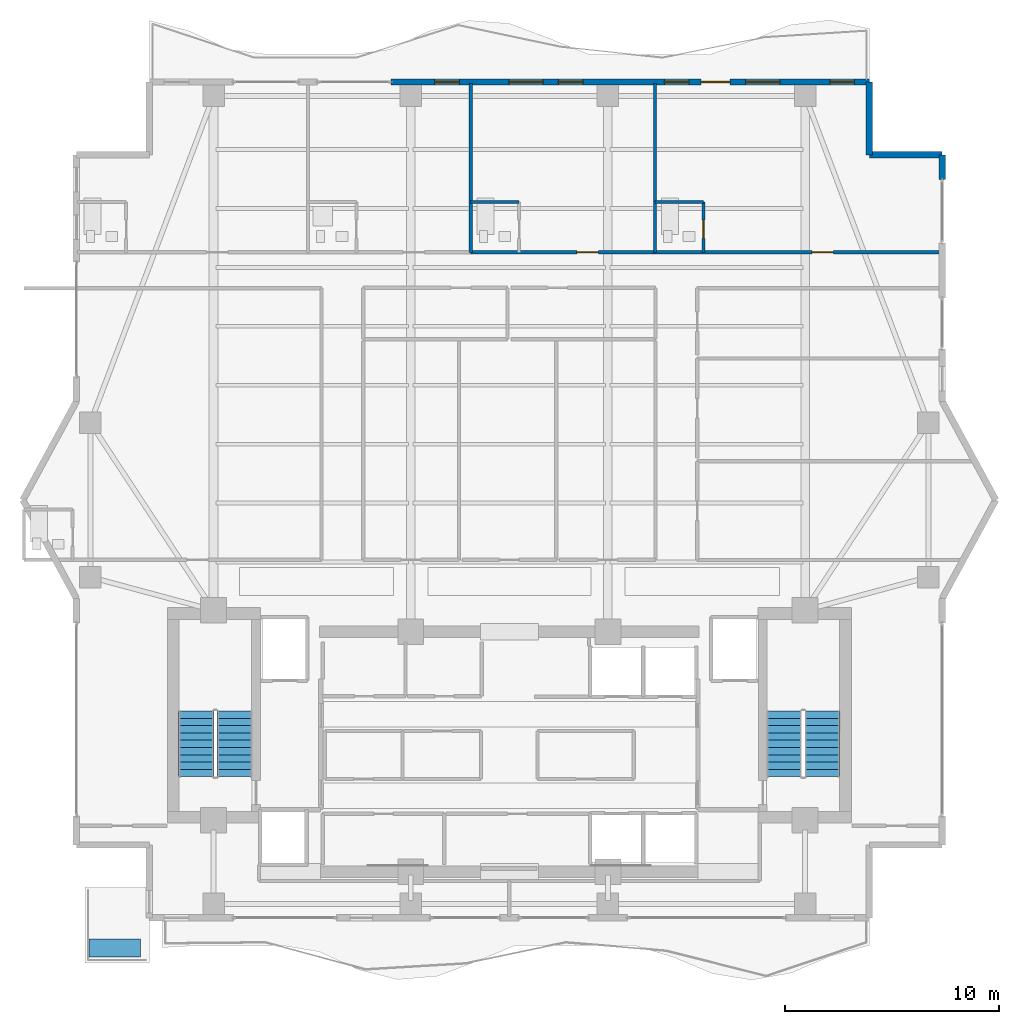
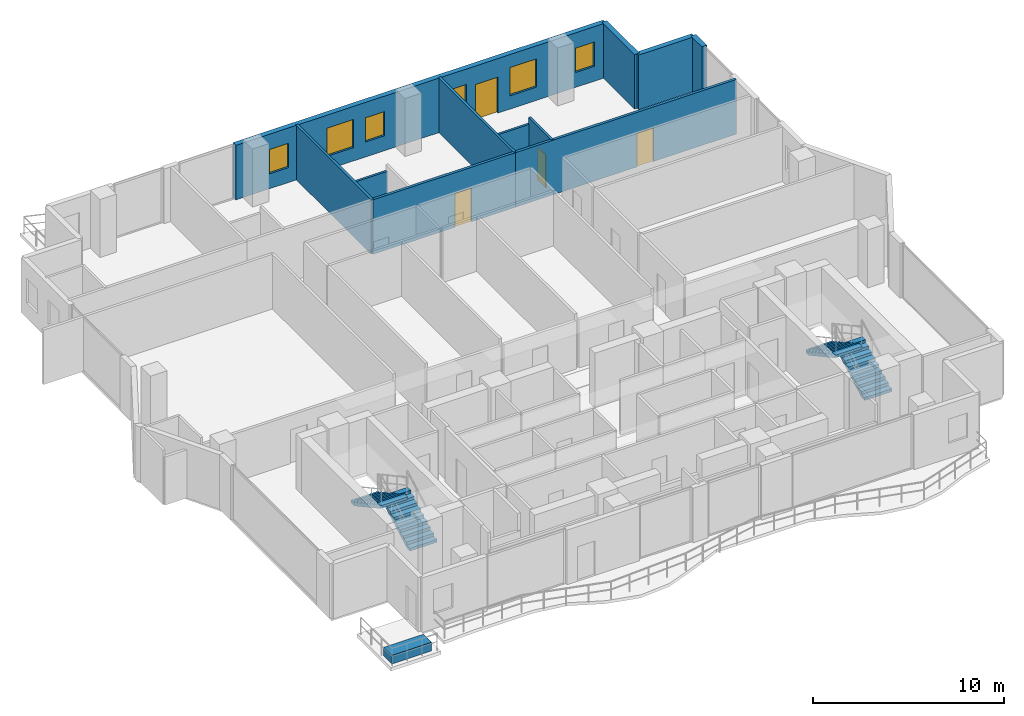
# One storey, part 21 of 24: 11 walls, 6 windows, 4 doors, 4 stair flights, 1 building element part, 10 openings, 2 elements without a shape of their own.
"""IFC4 building model written with IfcOpenShell, lengths in metres."""

from ifc_helpers import new_model, si_unit, direction, frame, frame_2d, origin, origin_2d, place, context, subcontext, project, spatial, polyline, rectangle, outline, extrude, material, layer, layer_set, type_object, element, fill, aggregate, save


model = new_model("IFC4")

# Units and contexts
model_context = context("Model", 3, precision=1e-05, world=origin(), true_north=direction((0.0, 1.0)))
body_context = subcontext(model_context, "Body", "Model", "MODEL_VIEW")
ifc_project = project(units=[si_unit("LENGTHUNIT", "METRE"), si_unit("AREAUNIT", "SQUARE_METRE"), si_unit("VOLUMEUNIT", "CUBIC_METRE"), si_unit("PLANEANGLEUNIT", "RADIAN"), si_unit("MASSUNIT", "GRAM", prefix="KILO")], contexts=[model_context])

# Site, building, storey
site_placement = place(None, origin())
site = spatial("IfcSite", under=ifc_project, at=site_placement, CompositionType="ELEMENT")
building_placement = place(site_placement, origin())
building = spatial("IfcBuilding", under=site, at=building_placement, Name="Zuhayl Quay Hotel", CompositionType="ELEMENT")
storey_placement = place(building_placement, frame((0.0, 0.0, 280.35009765625)))
storey = spatial("IfcBuildingStorey", under=building, at=storey_placement, Name="L71", CompositionType="ELEMENT", Elevation=280.35009765625)

# Wall, openings, door, windows
ifc_material_1 = material(Name="Precast concrete C45/55", Category="concrete")
ifc_layer_1 = layer(ifc_material_1, 0.300048828125, Name="Precast concrete C45/55", Category="concrete")
ifc_layer_set_1 = layer_set([ifc_layer_1], Name="Precast concrete C45/55")
wall_type_1 = type_object("IfcWallType", Name="WL_EXT_300", PredefinedType="STANDARD", material=ifc_layer_set_1)
wall_1_placement = place(storey_placement, frame((-5.52001953125, 39.0, 0.0), z_axis=(0.0, 0.0, 1.0), x_axis=(1.0, 0.0, 0.0)))
wall_1 = element("IfcWall", 1, at=wall_1_placement, inside=storey, type_object=wall_type_1, Name="L71 Exterior Precast Wall ENV_L71_N_EW3", PredefinedType="STANDARD", context=body_context, shape_type="SweptSolid", body=[
    extrude(rectangle(XDim=22.320068359375, YDim=0.300048828125, at=frame_2d((11.16015625, 0.0))), origin(), (0.0, 0.0, 1.0), 3.47998046875),
])
opening_1_placement = place(wall_1_placement, frame((14.465087890625, 0.0, 0.0)))
opening_1 = element("IfcOpeningElement", 2, at=opening_1_placement, cuts=wall_1, Name="Opening DG2", PredefinedType="OPENING", context=body_context, shape_type="SweptSolid", body=[
    extrude(rectangle(XDim=1.35009765625, YDim=2.300048828125, at=frame_2d((0.675048828125, 1.14990234375))), frame((0.0, 0.159912109375, 0.0), z_axis=(0.0, -1.0, 0.0), x_axis=(1.0, 0.0, 0.0)), (0.0, 0.0, 1.0), 0.320068359375),
])
opening_2_placement = place(wall_1_placement, frame((5.5, 0.0, 0.85009765625)))
opening_2 = element("IfcOpeningElement", 3, at=opening_2_placement, cuts=wall_1, Name="Opening W01", PredefinedType="OPENING", context=body_context, shape_type="SweptSolid", body=[
    extrude(rectangle(XDim=1.60009765625, YDim=1.800048828125, at=frame_2d((0.800048828125, 0.89990234375))), frame((0.0, 0.159912109375, 0.0), z_axis=(0.0, -1.0, 0.0), x_axis=(1.0, 0.0, 0.0)), (0.0, 0.0, 1.0), 0.320068359375),
])
opening_3_placement = place(wall_1_placement, frame((2.034912109375, 0.0, 0.949951171875)))
opening_3 = element("IfcOpeningElement", 4, at=opening_3_placement, cuts=wall_1, Name="Opening W01N", PredefinedType="OPENING", context=body_context, shape_type="SweptSolid", body=[
    extrude(rectangle(XDim=1.14990234375, YDim=1.550048828125, at=frame_2d((0.574951171875, 0.77490234375))), frame((0.0, 0.159912109375, 0.0), z_axis=(0.0, -1.0, 0.0), x_axis=(1.0, 0.0, 0.0)), (0.0, 0.0, 1.0), 0.320068359375),
])
opening_4_placement = place(wall_1_placement, frame((7.81005859375, 0.0, 0.949951171875)))
opening_4 = element("IfcOpeningElement", 5, at=opening_4_placement, cuts=wall_1, Name="Opening W01N", PredefinedType="OPENING", context=body_context, shape_type="SweptSolid", body=[
    extrude(rectangle(XDim=1.14990234375, YDim=1.550048828125, at=frame_2d((0.574951171875, 0.77490234375))), frame((0.0, 0.159912109375, 0.0), z_axis=(0.0, -1.0, 0.0), x_axis=(1.0, 0.0, 0.0)), (0.0, 0.0, 1.0), 0.320068359375),
])
opening_5_placement = place(wall_1_placement, frame((12.75244140625, 0.0, 0.949951171875)))
opening_5 = element("IfcOpeningElement", 6, at=opening_5_placement, cuts=wall_1, Name="Opening W01N", PredefinedType="OPENING", context=body_context, shape_type="SweptSolid", body=[
    extrude(rectangle(XDim=1.14990234375, YDim=1.550048828125, at=frame_2d((0.574951171875, 0.77490234375))), frame((0.0, 0.159912109375, 0.0), z_axis=(0.0, -1.0, 0.0), x_axis=(1.0, 0.0, 0.0)), (0.0, 0.0, 1.0), 0.320068359375),
])
opening_6_placement = place(wall_1_placement, frame((16.54248046875, 0.0, 0.85009765625)))
opening_6 = element("IfcOpeningElement", 7, at=opening_6_placement, cuts=wall_1, Name="Opening W01", PredefinedType="OPENING", context=body_context, shape_type="SweptSolid", body=[
    extrude(rectangle(XDim=1.60009765625, YDim=1.800048828125, at=frame_2d((0.800048828125, 0.89990234375))), frame((0.0, 0.159912109375, 0.0), z_axis=(0.0, -1.0, 0.0), x_axis=(1.0, 0.0, 0.0)), (0.0, 0.0, 1.0), 0.320068359375),
])
opening_7_placement = place(wall_1_placement, frame((20.47509765625, 0.0, 0.949951171875)))
opening_7 = element("IfcOpeningElement", 8, at=opening_7_placement, cuts=wall_1, Name="Opening W01N", PredefinedType="OPENING", context=body_context, shape_type="SweptSolid", body=[
    extrude(rectangle(XDim=1.14990234375, YDim=1.550048828125, at=frame_2d((0.574951171875, 0.77490234375))), frame((0.0, 0.159912109375, 0.0), z_axis=(0.0, -1.0, 0.0), x_axis=(1.0, 0.0, 0.0)), (0.0, 0.0, 1.0), 0.320068359375),
])
ifc_material_2 = material(Name="Anodised Aluminium and Dark Solar Glass", Category="aluminium")
door_type_1 = type_object("IfcDoorType", Name="DR_EXT_TERR_1350", OperationType="NOTDEFINED", PredefinedType="DOOR", material=ifc_material_2)
door_1_placement = place(opening_1_placement, origin())
door_1 = element("IfcDoor", 9, at=door_1_placement, inside=storey, type_object=door_type_1, Name="L71 North Rippling Balcony Door", OperationType="SINGLE_SWING_LEFT", OverallHeight=2.300048828125, OverallWidth=1.35009765625, PredefinedType="DOOR", context=body_context, shape_type="SweptSolid", body=[
    extrude(rectangle(XDim=1.35009765625, YDim=2.300048828125, at=frame_2d((0.675048828125, 1.14990234375))), frame((0.0, 0.02490234375, 0.0), z_axis=(0.0, -1.0, 0.0), x_axis=(1.0, 0.0, 0.0)), (0.0, 0.0, 1.0), 0.050048828125),
])
fill(opening_1, door_1)
ifc_material_3 = material(Name="Dark Ceramic-Fritted Solar Glass", Category="glass")
window_type_1 = type_object("IfcWindowType", Name="WN_NOTCH_1350", PartitioningType="SINGLE_PANEL", PredefinedType="WINDOW", material=ifc_material_3)
window_1_placement = place(opening_3_placement, origin())
window_1 = element("IfcWindow", 10, at=window_1_placement, inside=storey, type_object=window_type_1, Name="L71 Operable Facade Window 3-1", OverallHeight=1.550048828125, OverallWidth=1.14990234375, PartitioningType="SINGLE_PANEL", PredefinedType="WINDOW", context=body_context, shape_type="SweptSolid", body=[
    extrude(rectangle(XDim=1.14990234375, YDim=1.550048828125, at=frame_2d((0.574951171875, 0.77490234375))), frame((0.0, 0.030029296875, 0.0), z_axis=(0.0, -1.0, 0.0), x_axis=(1.0, 0.0, 0.0)), (0.0, 0.0, 1.0), 0.06005859375),
])
fill(opening_3, window_1)
window_2_placement = place(opening_4_placement, origin())
window_2 = element("IfcWindow", 11, at=window_2_placement, inside=storey, type_object=window_type_1, Name="L71 Operable Facade Window 3-2", OverallHeight=1.550048828125, OverallWidth=1.14990234375, PartitioningType="SINGLE_PANEL", PredefinedType="WINDOW", context=body_context, shape_type="SweptSolid", body=[
    extrude(rectangle(XDim=1.14990234375, YDim=1.550048828125, at=frame_2d((0.574951171875, 0.77490234375))), frame((0.0, 0.030029296875, 0.0), z_axis=(0.0, -1.0, 0.0), x_axis=(1.0, 0.0, 0.0)), (0.0, 0.0, 1.0), 0.06005859375),
])
fill(opening_4, window_2)
window_3_placement = place(opening_5_placement, origin())
window_3 = element("IfcWindow", 12, at=window_3_placement, inside=storey, type_object=window_type_1, Name="L71 Operable Facade Window 3-3", OverallHeight=1.550048828125, OverallWidth=1.14990234375, PartitioningType="SINGLE_PANEL", PredefinedType="WINDOW", context=body_context, shape_type="SweptSolid", body=[
    extrude(rectangle(XDim=1.14990234375, YDim=1.550048828125, at=frame_2d((0.574951171875, 0.77490234375))), frame((0.0, 0.030029296875, 0.0), z_axis=(0.0, -1.0, 0.0), x_axis=(1.0, 0.0, 0.0)), (0.0, 0.0, 1.0), 0.06005859375),
])
fill(opening_5, window_3)
window_4_placement = place(opening_7_placement, origin())
window_4 = element("IfcWindow", 13, at=window_4_placement, inside=storey, type_object=window_type_1, Name="L71 Operable Facade Window 3-5", OverallHeight=1.550048828125, OverallWidth=1.14990234375, PartitioningType="SINGLE_PANEL", PredefinedType="WINDOW", context=body_context, shape_type="SweptSolid", body=[
    extrude(rectangle(XDim=1.14990234375, YDim=1.550048828125, at=frame_2d((0.574951171875, 0.77490234375))), frame((0.0, 0.030029296875, 0.0), z_axis=(0.0, -1.0, 0.0), x_axis=(1.0, 0.0, 0.0)), (0.0, 0.0, 1.0), 0.06005859375),
])
fill(opening_7, window_4)
window_type_2 = type_object("IfcWindowType", Name="WN_OPERABLE_1600", PartitioningType="DOUBLE_PANEL_VERTICAL", PredefinedType="WINDOW", material=ifc_material_3)
window_5_placement = place(opening_2_placement, origin())
window_5 = element("IfcWindow", 14, at=window_5_placement, inside=storey, type_object=window_type_2, Name="L71 North Operable Casement Window", OverallHeight=1.800048828125, OverallWidth=1.60009765625, PartitioningType="SINGLE_PANEL", PredefinedType="WINDOW", context=body_context, shape_type="SweptSolid", body=[
    extrude(rectangle(XDim=1.60009765625, YDim=1.800048828125, at=frame_2d((0.800048828125, 0.89990234375))), frame((0.0, 0.030029296875, 0.0), z_axis=(0.0, -1.0, 0.0), x_axis=(1.0, 0.0, 0.0)), (0.0, 0.0, 1.0), 0.06005859375),
])
fill(opening_2, window_5)
window_6_placement = place(opening_6_placement, origin())
window_6 = element("IfcWindow", 15, at=window_6_placement, inside=storey, type_object=window_type_2, Name="L71 Operable Facade Window 3-4", OverallHeight=1.800048828125, OverallWidth=1.60009765625, PartitioningType="SINGLE_PANEL", PredefinedType="WINDOW", context=body_context, shape_type="SweptSolid", body=[
    extrude(rectangle(XDim=1.60009765625, YDim=1.800048828125, at=frame_2d((0.800048828125, 0.89990234375))), frame((0.0, 0.030029296875, 0.0), z_axis=(0.0, -1.0, 0.0), x_axis=(1.0, 0.0, 0.0)), (0.0, 0.0, 1.0), 0.06005859375),
])
fill(opening_6, window_6)

# Walls
for number, where, z_axis, x_axis, name in (
    (16, (16.800048828125, 39.0, 0.0), (0.0, 0.0, 1.0), (0.0, -1.0, 0.0), "L71 Exterior Precast Wall ENV_L71_EW09"),
    (17, (16.800048828125, 35.60009765625, 0.0), (0.0, 0.0, 1.0), (1.0, 0.0, 0.0), "L71 Exterior Precast Wall ENV_L71_EW10"),
):
    element("IfcWall", number, at=place(storey_placement, frame(where, z_axis=z_axis, x_axis=x_axis)), inside=storey, type_object=wall_type_1, Name=name, PredefinedType="STANDARD", context=body_context, shape_type="SweptSolid", body=[
        extrude(rectangle(XDim=3.39990234375, YDim=0.300048828125, at=frame_2d((1.699951171875, 0.0))), origin(), (0.0, 0.0, 1.0), 3.47998046875),
    ])
wall_2_placement = place(storey_placement, frame((20.199951171875, 35.60009765625, 0.0), z_axis=(0.0, 0.0, 1.0), x_axis=(0.0, -1.0, 0.0)))
element("IfcWall", 18, at=wall_2_placement, inside=storey, type_object=wall_type_1, Name="L71 Exterior Precast Wall ENV_L71_E11_EW1", PredefinedType="STANDARD", context=body_context, shape_type="SweptSolid", body=[
    extrude(rectangle(XDim=1.150146484375, YDim=0.300048828125, at=frame_2d((0.5751953125, 0.0))), origin(), (0.0, 0.0, 1.0), 3.47998046875),
])
ifc_material_4 = material(Name="Acoustic Gypsum Partition STC-58")
ifc_layer_2 = layer(ifc_material_4, 0.14990234375, Name="Acoustic Gypsum Partition STC-58")
ifc_layer_set_2 = layer_set([ifc_layer_2], Name="Acoustic Gypsum Partition STC-58")
wall_type_2 = type_object("IfcWallType", Name="WL_PART_150", PredefinedType="PARTITIONING", material=ifc_layer_set_2)
for number, where, z_axis, x_axis, name in (
    (19, (-1.800048828125, 31.050048828125, 0.0), (0.0, 0.0, 1.0), (0.0, 1.0, 0.0), "L71 Partition IW_L71_NU02_E"),
    (20, (6.800048828125, 31.050048828125, 0.0), (0.0, 0.0, 1.0), (0.0, 1.0, 0.0), "L71 Partition IW_L71_NU03_E"),
):
    element("IfcWall", number, at=place(storey_placement, frame(where, z_axis=z_axis, x_axis=x_axis)), inside=storey, type_object=wall_type_2, Name=name, PredefinedType="PARTITIONING", context=body_context, shape_type="SweptSolid", body=[
        extrude(rectangle(XDim=7.869873046875, YDim=0.14990234375, at=frame_2d((3.93505859375, 0.0))), origin(), (0.0, 0.0, 1.0), 3.47998046875),
    ])

# Wall, opening, door
ifc_layer_3 = layer(ifc_material_4, 0.159912109375, Name="Acoustic Gypsum Partition STC-58")
ifc_layer_set_3 = layer_set([ifc_layer_3], Name="Acoustic Gypsum Partition STC-58")
wall_type_3 = type_object("IfcWallType", Name="WL_PART_CORR_160", PredefinedType="PARTITIONING", material=ifc_layer_set_3)
wall_3_placement = place(storey_placement, frame((-1.800048828125, 31.050048828125, 0.0), z_axis=(0.0, 0.0, 1.0), x_axis=(1.0, 0.0, 0.0)))
wall_3 = element("IfcWall", 21, at=wall_3_placement, inside=storey, type_object=wall_type_3, Name="L71 Partition IW_L71_NU03_COR", PredefinedType="PARTITIONING", context=body_context, shape_type="SweptSolid", body=[
    extrude(rectangle(XDim=8.60009765625, YDim=0.159912109375, at=frame_2d((4.300048828125, 0.0))), origin(), (0.0, 0.0, 1.0), 3.47998046875),
])
opening_8_placement = place(wall_3_placement, frame((4.949951171875, 0.0, 0.0)))
opening_8 = element("IfcOpeningElement", 22, at=opening_8_placement, cuts=wall_3, Name="Opening D03L", PredefinedType="OPENING", context=body_context, shape_type="SweptSolid", body=[
    extrude(rectangle(XDim=1.0, YDim=2.14990234375, at=frame_2d((0.5, 1.074951171875))), frame((0.0, 0.08984375, 0.0), z_axis=(0.0, -1.0, 0.0), x_axis=(1.0, 0.0, 0.0)), (0.0, 0.0, 1.0), 0.179931640625),
])
ifc_material_5 = material(Name="Solid Walnut Acoustic Fire Door")
door_type_2 = type_object("IfcDoorType", Name="DR_SUITE_1000", OperationType="NOTDEFINED", PredefinedType="DOOR", material=ifc_material_5)
door_2_placement = place(opening_8_placement, origin())
door_2 = element("IfcDoor", 23, at=door_2_placement, inside=storey, type_object=door_type_2, Name="L71 Royal Gulf Suite L71-03 Entrance Door", OperationType="SINGLE_SWING_RIGHT", OverallHeight=2.14990234375, OverallWidth=1.0, PredefinedType="DOOR", context=body_context, shape_type="SweptSolid", body=[
    extrude(rectangle(XDim=1.0, YDim=2.14990234375, at=frame_2d((0.5, 1.074951171875))), frame((0.0, 0.02490234375, 0.0), z_axis=(0.0, -1.0, 0.0), x_axis=(1.0, 0.0, 0.0)), (0.0, 0.0, 1.0), 0.050048828125),
])
fill(opening_8, door_2)

wall_4_placement = place(storey_placement, frame((6.800048828125, 31.050048828125, 0.0), z_axis=(0.0, 0.0, 1.0), x_axis=(1.0, 0.0, 0.0)))
wall_4 = element("IfcWall", 24, at=wall_4_placement, inside=storey, type_object=wall_type_3, Name="L71 Partition IW_L71_NU04_COR", PredefinedType="PARTITIONING", context=body_context, shape_type="SweptSolid", body=[
    extrude(rectangle(XDim=13.33984375, YDim=0.159912109375, at=frame_2d((6.669921875, 0.0))), origin(), (0.0, 0.0, 1.0), 3.47998046875),
])
opening_9_placement = place(wall_4_placement, frame((7.320068359375, 0.0, 0.0)))
opening_9 = element("IfcOpeningElement", 25, at=opening_9_placement, cuts=wall_4, Name="Opening D03L", PredefinedType="OPENING", context=body_context, shape_type="SweptSolid", body=[
    extrude(rectangle(XDim=1.0, YDim=2.14990234375, at=frame_2d((0.5, 1.074951171875))), frame((0.0, 0.08984375, 0.0), z_axis=(0.0, -1.0, 0.0), x_axis=(1.0, 0.0, 0.0)), (0.0, 0.0, 1.0), 0.179931640625),
])
door_3_placement = place(opening_9_placement, origin())
door_3 = element("IfcDoor", 26, at=door_3_placement, inside=storey, type_object=door_type_2, Name="L71 Royal Gulf Suite L71-04 Entrance Door", OperationType="SINGLE_SWING_RIGHT", OverallHeight=2.14990234375, OverallWidth=1.0, PredefinedType="DOOR", context=body_context, shape_type="SweptSolid", body=[
    extrude(rectangle(XDim=1.0, YDim=2.14990234375, at=frame_2d((0.5, 1.074951171875))), frame((0.0, 0.02490234375, 0.0), z_axis=(0.0, -1.0, 0.0), x_axis=(1.0, 0.0, 0.0)), (0.0, 0.0, 1.0), 0.050048828125),
])
fill(opening_9, door_3)

ifc_material_6 = material(Name="Moisture-Resistant Sanitarychase Gypsum")
ifc_layer_4 = layer(ifc_material_6, 0.135009765625, Name="Moisture-Resistant Sanitarychase Gypsum")
ifc_layer_set_4 = layer_set([ifc_layer_4], Name="Moisture-Resistant Sanitarychase Gypsum")
wall_type_4 = type_object("IfcWallType", Name="WL_PART_PLUMB_150", PredefinedType="PLUMBINGWALL", material=ifc_layer_set_4)
wall_5_placement = place(storey_placement, frame((9.06005859375, 31.050048828125, 0.0), z_axis=(0.0, 0.0, 1.0), x_axis=(0.0, 1.0, 0.0)))
wall_5 = element("IfcWall", 27, at=wall_5_placement, inside=storey, type_object=wall_type_4, Name="L71 Partition IW_L71_NU04_BE", PredefinedType="PLUMBINGWALL", context=body_context, shape_type="SweptSolid", body=[
    extrude(rectangle(XDim=2.35986328125, YDim=0.135009765625, at=frame_2d((1.179931640625, 0.0))), origin(), (0.0, 0.0, 1.0), 3.47998046875),
])
opening_10_placement = place(wall_5_placement, frame((0.64990234375, 0.0, 0.0)))
opening_10 = element("IfcOpeningElement", 28, at=opening_10_placement, cuts=wall_5, Name="Opening D04", PredefinedType="OPENING", context=body_context, shape_type="SweptSolid", body=[
    extrude(rectangle(XDim=0.85009765625, YDim=2.10009765625, at=frame_2d((0.425048828125, 1.050048828125))), frame((0.0, 0.077392578125, 0.0), z_axis=(0.0, -1.0, 0.0), x_axis=(1.0, 0.0, 0.0)), (0.0, 0.0, 1.0), 0.155029296875),
])
ifc_material_7 = material(Name="Moisture-Resistant Walnut Veneer")
door_type_3 = type_object("IfcDoorType", Name="DR_BATH_850", OperationType="NOTDEFINED", PredefinedType="DOOR", material=ifc_material_7)
door_4_placement = place(opening_10_placement, origin())
door_4 = element("IfcDoor", 29, at=door_4_placement, inside=storey, type_object=door_type_3, Name="L71 Royal Gulf Suite L71-04 En-Suite Door", OperationType="SINGLE_SWING_LEFT", OverallHeight=2.10009765625, OverallWidth=0.85009765625, PredefinedType="DOOR", context=body_context, shape_type="SweptSolid", body=[
    extrude(rectangle(XDim=0.85009765625, YDim=2.10009765625, at=frame_2d((0.425048828125, 1.050048828125))), frame((0.0, 0.02490234375, 0.0), z_axis=(0.0, -1.0, 0.0), x_axis=(1.0, 0.0, 0.0)), (0.0, 0.0, 1.0), 0.050048828125),
])
fill(opening_10, door_4)

# Walls
for number, where, z_axis, x_axis, name in (
    (30, (-1.800048828125, 33.409912109375, 0.0), (0.0, 0.0, 1.0), (1.0, 0.0, 0.0), "L71 Partition IW_L71_NU03_BN"),
    (31, (6.800048828125, 33.409912109375, 0.0), (0.0, 0.0, 1.0), (1.0, 0.0, 0.0), "L71 Partition IW_L71_NU04_BN"),
):
    element("IfcWall", number, at=place(storey_placement, frame(where, z_axis=z_axis, x_axis=x_axis)), inside=storey, type_object=wall_type_4, Name=name, PredefinedType="PLUMBINGWALL", context=body_context, shape_type="SweptSolid", body=[
        extrude(rectangle(XDim=2.260009765625, YDim=0.135009765625, at=frame_2d((1.1298828125, 0.0))), origin(), (0.0, 0.0, 1.0), 3.075927734375),
    ])

# Stair, stair flights
ifc_material_8 = material(Name="Concrete C45/55", Category="concrete")
stair_type = type_object("IfcStairType", Name="ST_DOGLEG_TOWER", PredefinedType="HALF_TURN_STAIR", material=ifc_material_8)
stair_1_placement = place(storey_placement, origin())
stair_1 = element("IfcStair", 32, at=stair_1_placement, inside=storey, type_object=stair_type, Name="L71 Smokeproof Exit Stair ST1", PredefinedType="HALF_TURN_STAIR")
ifc_layer_5 = layer(ifc_material_8, 0.159912109375, Name="Concrete C45/55", Category="concrete")
ifc_layer_set_5 = layer_set([ifc_layer_5], Name="Concrete C45/55")
stair_flight_type = type_object("IfcStairFlightType", Name="SF_CONC_164", PredefinedType="STRAIGHT", material=ifc_layer_set_5)
stair_flight_1_placement = place(storey_placement, frame((-12.820068359375, 6.590087890625, 0.0), z_axis=(0.0, 0.0, 1.0), x_axis=(0.0, 1.0, 0.0)))
stair_flight_1 = element("IfcStairFlight", 33, at=stair_flight_1_placement, type_object=stair_flight_type, Name="ST1 flight 1", NumberOfRisers=10, NumberOfTreads=9, PredefinedType="STRAIGHT", RiserHeight=0.185, TreadLength=0.34, context=body_context, shape_type="SweptSolid", body=[
    extrude(outline(polyline([(0.0, 0.0), (0.0, 0.18505859375), (0.340087890625, 0.18505859375), (0.340087890625, 0.3701171875), (0.679931640625, 0.3701171875), (0.679931640625, 0.554931640625), (1.02001953125, 0.554931640625), (1.02001953125, 0.739990234375), (1.360107421875, 0.739990234375), (1.360107421875, 0.925048828125), (1.699951171875, 0.925048828125), (1.699951171875, 1.110107421875), (2.0400390625, 1.110107421875), (2.0400390625, 1.294921875), (2.3798828125, 1.294921875), (2.3798828125, 1.47998046875), (2.719970703125, 1.47998046875), (2.719970703125, 1.6650390625), (3.06005859375, 1.6650390625), (3.06005859375, 1.85009765625), (3.06005859375, 1.494384765625), (0.313720703125, 0.0), (0.0, 0.0)])), frame((0.0, 0.81982421875, 0.0), z_axis=(0.0, -1.0, 0.0), x_axis=(1.0, 0.0, 0.0)), (0.0, 0.0, 1.0), 1.639892578125),
])
stair_flight_2_placement = place(storey_placement, frame((-14.610107421875, 9.64990234375, 1.849853515625), z_axis=(0.0, 0.0, 1.0), x_axis=(0.0, -1.0, 0.0)))
stair_flight_2 = element("IfcStairFlight", 34, at=stair_flight_2_placement, type_object=stair_flight_type, Name="ST1 flight 2", NumberOfRisers=10, NumberOfTreads=9, PredefinedType="STRAIGHT", RiserHeight=0.185, TreadLength=0.34, context=body_context, shape_type="SweptSolid", body=[
    extrude(outline(polyline([(0.0, 0.0), (0.0, 0.18505859375), (0.340087890625, 0.18505859375), (0.340087890625, 0.3701171875), (0.679931640625, 0.3701171875), (0.679931640625, 0.554931640625), (1.02001953125, 0.554931640625), (1.02001953125, 0.739990234375), (1.360107421875, 0.739990234375), (1.360107421875, 0.925048828125), (1.699951171875, 0.925048828125), (1.699951171875, 1.110107421875), (2.0400390625, 1.110107421875), (2.0400390625, 1.294921875), (2.3798828125, 1.294921875), (2.3798828125, 1.47998046875), (2.719970703125, 1.47998046875), (2.719970703125, 1.6650390625), (3.06005859375, 1.6650390625), (3.06005859375, 1.85009765625), (3.06005859375, 1.494384765625), (0.313720703125, 0.0), (0.0, 0.0)])), frame((0.0, 0.81982421875, 0.0), z_axis=(0.0, -1.0, 0.0), x_axis=(1.0, 0.0, 0.0)), (0.0, 0.0, 1.0), 1.639892578125),
])
aggregate(stair_1, [stair_flight_1, stair_flight_2])

stair_2_placement = place(storey_placement, origin())
stair_2 = element("IfcStair", 35, at=stair_2_placement, inside=storey, type_object=stair_type, Name="L71 Smokeproof Exit Stair ST2", PredefinedType="HALF_TURN_STAIR")
stair_flight_3_placement = place(storey_placement, frame((14.610107421875, 6.590087890625, 0.0), z_axis=(0.0, 0.0, 1.0), x_axis=(0.0, 1.0, 0.0)))
stair_flight_3 = element("IfcStairFlight", 36, at=stair_flight_3_placement, type_object=stair_flight_type, Name="ST2 flight 1", NumberOfRisers=10, NumberOfTreads=9, PredefinedType="STRAIGHT", RiserHeight=0.185, TreadLength=0.34, context=body_context, shape_type="SweptSolid", body=[
    extrude(outline(polyline([(0.0, 0.0), (0.0, 0.18505859375), (0.340087890625, 0.18505859375), (0.340087890625, 0.3701171875), (0.679931640625, 0.3701171875), (0.679931640625, 0.554931640625), (1.02001953125, 0.554931640625), (1.02001953125, 0.739990234375), (1.360107421875, 0.739990234375), (1.360107421875, 0.925048828125), (1.699951171875, 0.925048828125), (1.699951171875, 1.110107421875), (2.0400390625, 1.110107421875), (2.0400390625, 1.294921875), (2.3798828125, 1.294921875), (2.3798828125, 1.47998046875), (2.719970703125, 1.47998046875), (2.719970703125, 1.6650390625), (3.06005859375, 1.6650390625), (3.06005859375, 1.85009765625), (3.06005859375, 1.494384765625), (0.313720703125, 0.0), (0.0, 0.0)])), frame((0.0, 0.81982421875, 0.0), z_axis=(0.0, -1.0, 0.0), x_axis=(1.0, 0.0, 0.0)), (0.0, 0.0, 1.0), 1.639892578125),
])
stair_flight_4_placement = place(storey_placement, frame((12.820068359375, 9.64990234375, 1.849853515625), z_axis=(0.0, 0.0, 1.0), x_axis=(0.0, -1.0, 0.0)))
stair_flight_4 = element("IfcStairFlight", 37, at=stair_flight_4_placement, type_object=stair_flight_type, Name="ST2 flight 2", NumberOfRisers=10, NumberOfTreads=9, PredefinedType="STRAIGHT", RiserHeight=0.185, TreadLength=0.34, context=body_context, shape_type="SweptSolid", body=[
    extrude(outline(polyline([(0.0, 0.0), (0.0, 0.18505859375), (0.340087890625, 0.18505859375), (0.340087890625, 0.3701171875), (0.679931640625, 0.3701171875), (0.679931640625, 0.554931640625), (1.02001953125, 0.554931640625), (1.02001953125, 0.739990234375), (1.360107421875, 0.739990234375), (1.360107421875, 0.925048828125), (1.699951171875, 0.925048828125), (1.699951171875, 1.110107421875), (2.0400390625, 1.110107421875), (2.0400390625, 1.294921875), (2.3798828125, 1.294921875), (2.3798828125, 1.47998046875), (2.719970703125, 1.47998046875), (2.719970703125, 1.6650390625), (3.06005859375, 1.6650390625), (3.06005859375, 1.85009765625), (3.06005859375, 1.494384765625), (0.313720703125, 0.0), (0.0, 0.0)])), frame((0.0, 0.81982421875, 0.0), z_axis=(0.0, -1.0, 0.0), x_axis=(1.0, 0.0, 0.0)), (0.0, 0.0, 1.0), 1.639892578125),
])
aggregate(stair_2, [stair_flight_3, stair_flight_4])

# Building element part
ifc_layer_6 = layer(ifc_material_1, 0.550048828125, Name="Precast concrete C45/55", Category="concrete")
ifc_layer_set_6 = layer_set([ifc_layer_6], Name="Precast concrete C45/55")
building_element_part_type = type_object("IfcBuildingElementPartType", Name="PT_PLANTER_KERB", PredefinedType="PRECASTPANEL", material=ifc_layer_set_6)
building_element_part_placement = place(storey_placement, frame((-18.409912109375, -1.409912109375, 0.0), z_axis=(0.0, 0.0, 1.0), x_axis=(1.0, 0.0, 0.0)))
element("IfcBuildingElementPart", 38, at=building_element_part_placement, inside=storey, type_object=building_element_part_type, Name="L71 Spiral Sky-Terrace Planter Box SW", PredefinedType="PRECASTPANEL", context=body_context, shape_type="SweptSolid", body=[
    extrude(rectangle(XDim=2.39990234375, YDim=0.85009765625, at=origin_2d()), origin(), (0.0, 0.0, 1.0), 0.550048828125),
])

save(model, "model.ifc")
